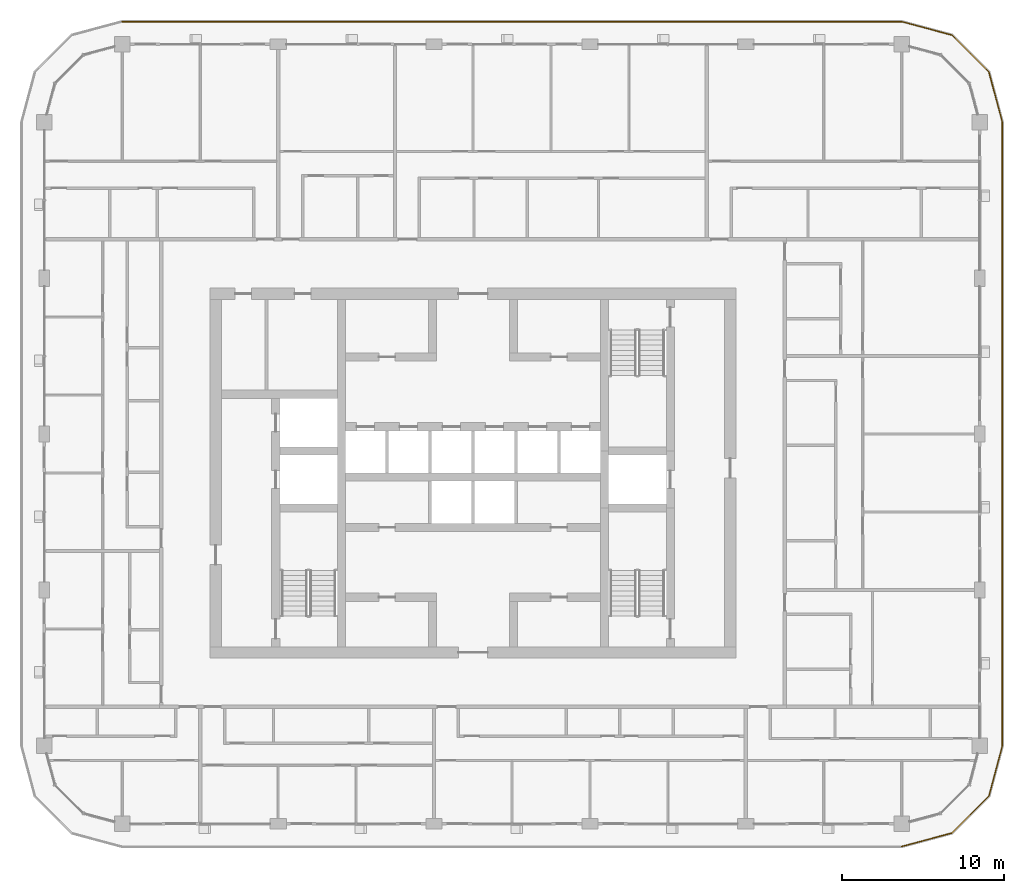
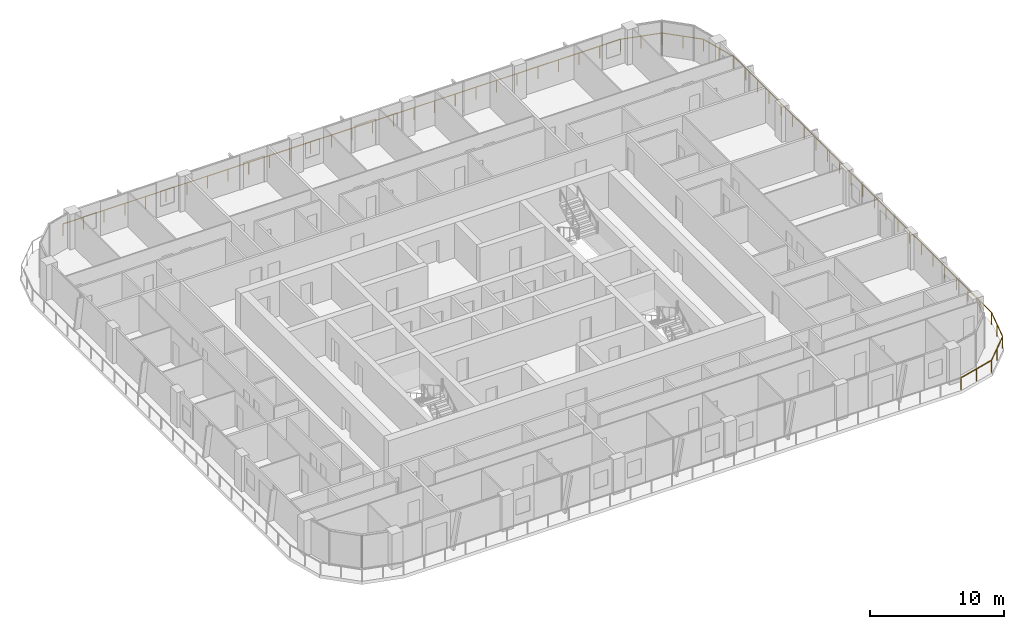
# One storey, part 21 of 23: 1 railing.
"""IFC4 building model written with IfcOpenShell, lengths in metres."""

from ifc_helpers import new_model, si_unit, direction, frame, origin, origin_2d, place, context, subcontext, project, spatial, circle, extrude, material, type_object, element, save


model = new_model("IFC4")

# Units and contexts
model_context = context("Model", 3, precision=1e-05, world=origin(), true_north=direction((0.0, 1.0)))
body_context = subcontext(model_context, "Body", "Model", "MODEL_VIEW")
ifc_project = project(units=[si_unit("LENGTHUNIT", "METRE"), si_unit("AREAUNIT", "SQUARE_METRE"), si_unit("VOLUMEUNIT", "CUBIC_METRE"), si_unit("PLANEANGLEUNIT", "RADIAN"), si_unit("MASSUNIT", "GRAM", prefix="KILO")], contexts=[model_context])

# Site, building, storey
site_placement = place(None, origin())
site = spatial("IfcSite", under=ifc_project, at=site_placement, CompositionType="ELEMENT")
building_placement = place(site_placement, origin())
building = spatial("IfcBuilding", under=site, at=building_placement, Name="Madar Terraces", CompositionType="ELEMENT")
storey_placement = place(building_placement, frame((0.0, 0.0, 219.300048828125)))
storey = spatial("IfcBuildingStorey", under=building, at=storey_placement, Name="L57", CompositionType="ELEMENT", Elevation=219.300048828125)

# Railing
ifc_material = material(Name="Glass, safety glazing, with stainless steel posts", Category="steel")
railing_type = type_object("IfcRailingType", Name="Balcony glass guard 1100", PredefinedType="GUARDRAIL", material=ifc_material)
railing_placement = place(storey_placement, frame((57.60009765625, 3.39990234375, 0.0)))
element("IfcRailing", 1, at=railing_placement, inside=storey, type_object=railing_type, Name="Balcony guard", PredefinedType="GUARDRAIL", context=body_context, shape_type="SweptSolid", body=[
    extrude(circle(Radius=0.02392578125, at=origin_2d()), frame((0.0, 0.0, 1.076171875), z_axis=(0.965909675762, 0.25887931217, 0.0), x_axis=(-0.25887931217, 0.965909675762, 0.0)), (0.0, 0.0, 1.0), 3.209228515625),
    extrude(circle(Radius=0.02392578125, at=origin_2d()), frame((3.099853515625, 0.830810546875, 1.076171875), z_axis=(0.707144815061, 0.707068745266, 0.0), x_axis=(-0.707068745266, 0.707144815061, 0.0)), (0.0, 0.0, 1.0), 3.20947265625),
    extrude(circle(Radius=0.02392578125, at=origin_2d()), frame((5.369384765625, 3.10009765625, 1.076171875), z_axis=(0.258789317819, 0.9659337912, 0.0), x_axis=(-0.9659337912, 0.258789317819, 0.0)), (0.0, 0.0, 1.0), 3.20947265625),
    extrude(circle(Radius=0.02392578125, at=origin_2d()), frame((6.199951171875, 6.2001953125, 1.076171875), z_axis=(0.0, 1.0, 0.0), x_axis=(-1.0, 0.0, 0.0)), (0.0, 0.0, 1.0), 38.39990234375),
    extrude(circle(Radius=0.02392578125, at=origin_2d()), frame((6.199951171875, 44.60009765625, 1.076171875), z_axis=(-0.258789317819, 0.9659337912, 0.0), x_axis=(-0.9659337912, -0.258789317819, 0.0)), (0.0, 0.0, 1.0), 3.20947265625),
    extrude(circle(Radius=0.02392578125, at=origin_2d()), frame((5.369384765625, 47.7001953125, 1.076171875), z_axis=(-0.707144815061, 0.707068745266, 0.0), x_axis=(-0.707068745266, -0.707144815061, 0.0)), (0.0, 0.0, 1.0), 3.20947265625),
    extrude(circle(Radius=0.02392578125, at=origin_2d()), frame((3.099853515625, 49.969482421875, 1.076171875), z_axis=(-0.965928696102, 0.258808334578, 0.0), x_axis=(-0.258808334578, -0.965928696102, 0.0)), (0.0, 0.0, 1.0), 3.209228515625),
    extrude(circle(Radius=0.02392578125, at=origin_2d()), frame((0.0, 50.800048828125, 1.076171875), z_axis=(-1.0, 0.0, 0.0), x_axis=(0.0, -1.0, 0.0)), (0.0, 0.0, 1.0), 48.0),
    extrude(circle(Radius=0.02099609375, at=origin_2d()), origin(), (0.0, 0.0, 1.0), 1.052001953125),
    extrude(circle(Radius=0.02099609375, at=origin_2d()), frame((1.5498046875, 0.41552734375, 0.0)), (0.0, 0.0, 1.0), 1.052001953125),
    extrude(circle(Radius=0.02099609375, at=origin_2d()), frame((3.099853515625, 0.830810546875, 0.0)), (0.0, 0.0, 1.0), 1.052001953125),
    extrude(circle(Radius=0.02099609375, at=origin_2d()), frame((4.234619140625, 1.96533203125, 0.0)), (0.0, 0.0, 1.0), 1.052001953125),
    extrude(circle(Radius=0.02099609375, at=origin_2d()), frame((5.369384765625, 3.10009765625, 0.0)), (0.0, 0.0, 1.0), 1.052001953125),
    extrude(circle(Radius=0.02099609375, at=origin_2d()), frame((5.78466796875, 4.650146484375, 0.0)), (0.0, 0.0, 1.0), 1.052001953125),
    extrude(circle(Radius=0.02099609375, at=origin_2d()), frame((6.199951171875, 6.2001953125, 0.0)), (0.0, 0.0, 1.0), 1.052001953125),
    extrude(circle(Radius=0.02099609375, at=origin_2d()), frame((6.199951171875, 7.945556640625, 0.0)), (0.0, 0.0, 1.0), 1.052001953125),
    extrude(circle(Radius=0.02099609375, at=origin_2d()), frame((6.199951171875, 9.691162109375, 0.0)), (0.0, 0.0, 1.0), 1.052001953125),
    extrude(circle(Radius=0.02099609375, at=origin_2d()), frame((6.199951171875, 11.4365234375, 0.0)), (0.0, 0.0, 1.0), 1.052001953125),
    extrude(circle(Radius=0.02099609375, at=origin_2d()), frame((6.199951171875, 13.181884765625, 0.0)), (0.0, 0.0, 1.0), 1.052001953125),
    extrude(circle(Radius=0.02099609375, at=origin_2d()), frame((6.199951171875, 14.927490234375, 0.0)), (0.0, 0.0, 1.0), 1.052001953125),
    extrude(circle(Radius=0.02099609375, at=origin_2d()), frame((6.199951171875, 16.6728515625, 0.0)), (0.0, 0.0, 1.0), 1.052001953125),
    extrude(circle(Radius=0.02099609375, at=origin_2d()), frame((6.199951171875, 18.41845703125, 0.0)), (0.0, 0.0, 1.0), 1.052001953125),
    extrude(circle(Radius=0.02099609375, at=origin_2d()), frame((6.199951171875, 20.163818359375, 0.0)), (0.0, 0.0, 1.0), 1.052001953125),
    extrude(circle(Radius=0.02099609375, at=origin_2d()), frame((6.199951171875, 21.9091796875, 0.0)), (0.0, 0.0, 1.0), 1.052001953125),
    extrude(circle(Radius=0.02099609375, at=origin_2d()), frame((6.199951171875, 23.65478515625, 0.0)), (0.0, 0.0, 1.0), 1.052001953125),
    extrude(circle(Radius=0.02099609375, at=origin_2d()), frame((6.199951171875, 25.400146484375, 0.0)), (0.0, 0.0, 1.0), 1.052001953125),
    extrude(circle(Radius=0.02099609375, at=origin_2d()), frame((6.199951171875, 27.1455078125, 0.0)), (0.0, 0.0, 1.0), 1.052001953125),
    extrude(circle(Radius=0.02099609375, at=origin_2d()), frame((6.199951171875, 28.89111328125, 0.0)), (0.0, 0.0, 1.0), 1.052001953125),
    extrude(circle(Radius=0.02099609375, at=origin_2d()), frame((6.199951171875, 30.636474609375, 0.0)), (0.0, 0.0, 1.0), 1.052001953125),
    extrude(circle(Radius=0.02099609375, at=origin_2d()), frame((6.199951171875, 32.3818359375, 0.0)), (0.0, 0.0, 1.0), 1.052001953125),
    extrude(circle(Radius=0.02099609375, at=origin_2d()), frame((6.199951171875, 34.12744140625, 0.0)), (0.0, 0.0, 1.0), 1.052001953125),
    extrude(circle(Radius=0.02099609375, at=origin_2d()), frame((6.199951171875, 35.872802734375, 0.0)), (0.0, 0.0, 1.0), 1.052001953125),
    extrude(circle(Radius=0.02099609375, at=origin_2d()), frame((6.199951171875, 37.618408203125, 0.0)), (0.0, 0.0, 1.0), 1.052001953125),
    extrude(circle(Radius=0.02099609375, at=origin_2d()), frame((6.199951171875, 39.36376953125, 0.0)), (0.0, 0.0, 1.0), 1.052001953125),
    extrude(circle(Radius=0.02099609375, at=origin_2d()), frame((6.199951171875, 41.109130859375, 0.0)), (0.0, 0.0, 1.0), 1.052001953125),
    extrude(circle(Radius=0.02099609375, at=origin_2d()), frame((6.199951171875, 42.854736328125, 0.0)), (0.0, 0.0, 1.0), 1.052001953125),
    extrude(circle(Radius=0.02099609375, at=origin_2d()), frame((6.199951171875, 44.60009765625, 0.0)), (0.0, 0.0, 1.0), 1.052001953125),
    extrude(circle(Radius=0.02099609375, at=origin_2d()), frame((5.78466796875, 46.150146484375, 0.0)), (0.0, 0.0, 1.0), 1.052001953125),
    extrude(circle(Radius=0.02099609375, at=origin_2d()), frame((5.369384765625, 47.7001953125, 0.0)), (0.0, 0.0, 1.0), 1.052001953125),
    extrude(circle(Radius=0.02099609375, at=origin_2d()), frame((4.234619140625, 48.8349609375, 0.0)), (0.0, 0.0, 1.0), 1.052001953125),
    extrude(circle(Radius=0.02099609375, at=origin_2d()), frame((3.099853515625, 49.969482421875, 0.0)), (0.0, 0.0, 1.0), 1.052001953125),
    extrude(circle(Radius=0.02099609375, at=origin_2d()), frame((1.5498046875, 50.384765625, 0.0)), (0.0, 0.0, 1.0), 1.052001953125),
    extrude(circle(Radius=0.02099609375, at=origin_2d()), frame((0.0, 50.800048828125, 0.0)), (0.0, 0.0, 1.0), 1.052001953125),
    extrude(circle(Radius=0.02099609375, at=origin_2d()), frame((-1.77783203125, 50.800048828125, 0.0)), (0.0, 0.0, 1.0), 1.052001953125),
    extrude(circle(Radius=0.02099609375, at=origin_2d()), frame((-3.5556640625, 50.800048828125, 0.0)), (0.0, 0.0, 1.0), 1.052001953125),
    extrude(circle(Radius=0.02099609375, at=origin_2d()), frame((-5.333251953125, 50.800048828125, 0.0)), (0.0, 0.0, 1.0), 1.052001953125),
    extrude(circle(Radius=0.02099609375, at=origin_2d()), frame((-7.111083984375, 50.800048828125, 0.0)), (0.0, 0.0, 1.0), 1.052001953125),
    extrude(circle(Radius=0.02099609375, at=origin_2d()), frame((-8.888916015625, 50.800048828125, 0.0)), (0.0, 0.0, 1.0), 1.052001953125),
    extrude(circle(Radius=0.02099609375, at=origin_2d()), frame((-10.666748046875, 50.800048828125, 0.0)), (0.0, 0.0, 1.0), 1.052001953125),
    extrude(circle(Radius=0.02099609375, at=origin_2d()), frame((-12.4443359375, 50.800048828125, 0.0)), (0.0, 0.0, 1.0), 1.052001953125),
    extrude(circle(Radius=0.02099609375, at=origin_2d()), frame((-14.22216796875, 50.800048828125, 0.0)), (0.0, 0.0, 1.0), 1.052001953125),
    extrude(circle(Radius=0.02099609375, at=origin_2d()), frame((-16.0, 50.800048828125, 0.0)), (0.0, 0.0, 1.0), 1.052001953125),
    extrude(circle(Radius=0.02099609375, at=origin_2d()), frame((-17.77783203125, 50.800048828125, 0.0)), (0.0, 0.0, 1.0), 1.052001953125),
    extrude(circle(Radius=0.02099609375, at=origin_2d()), frame((-19.5556640625, 50.800048828125, 0.0)), (0.0, 0.0, 1.0), 1.052001953125),
    extrude(circle(Radius=0.02099609375, at=origin_2d()), frame((-21.333251953125, 50.800048828125, 0.0)), (0.0, 0.0, 1.0), 1.052001953125),
    extrude(circle(Radius=0.02099609375, at=origin_2d()), frame((-23.111083984375, 50.800048828125, 0.0)), (0.0, 0.0, 1.0), 1.052001953125),
    extrude(circle(Radius=0.02099609375, at=origin_2d()), frame((-24.888916015625, 50.800048828125, 0.0)), (0.0, 0.0, 1.0), 1.052001953125),
    extrude(circle(Radius=0.02099609375, at=origin_2d()), frame((-26.666748046875, 50.800048828125, 0.0)), (0.0, 0.0, 1.0), 1.052001953125),
    extrude(circle(Radius=0.02099609375, at=origin_2d()), frame((-28.4443359375, 50.800048828125, 0.0)), (0.0, 0.0, 1.0), 1.052001953125),
    extrude(circle(Radius=0.02099609375, at=origin_2d()), frame((-30.22216796875, 50.800048828125, 0.0)), (0.0, 0.0, 1.0), 1.052001953125),
    extrude(circle(Radius=0.02099609375, at=origin_2d()), frame((-32.0, 50.800048828125, 0.0)), (0.0, 0.0, 1.0), 1.052001953125),
    extrude(circle(Radius=0.02099609375, at=origin_2d()), frame((-33.77783203125, 50.800048828125, 0.0)), (0.0, 0.0, 1.0), 1.052001953125),
    extrude(circle(Radius=0.02099609375, at=origin_2d()), frame((-35.5556640625, 50.800048828125, 0.0)), (0.0, 0.0, 1.0), 1.052001953125),
    extrude(circle(Radius=0.02099609375, at=origin_2d()), frame((-37.333251953125, 50.800048828125, 0.0)), (0.0, 0.0, 1.0), 1.052001953125),
    extrude(circle(Radius=0.02099609375, at=origin_2d()), frame((-39.111083984375, 50.800048828125, 0.0)), (0.0, 0.0, 1.0), 1.052001953125),
    extrude(circle(Radius=0.02099609375, at=origin_2d()), frame((-40.888916015625, 50.800048828125, 0.0)), (0.0, 0.0, 1.0), 1.052001953125),
    extrude(circle(Radius=0.02099609375, at=origin_2d()), frame((-42.666748046875, 50.800048828125, 0.0)), (0.0, 0.0, 1.0), 1.052001953125),
    extrude(circle(Radius=0.02099609375, at=origin_2d()), frame((-44.4443359375, 50.800048828125, 0.0)), (0.0, 0.0, 1.0), 1.052001953125),
    extrude(circle(Radius=0.02099609375, at=origin_2d()), frame((-46.22216796875, 50.800048828125, 0.0)), (0.0, 0.0, 1.0), 1.052001953125),
    extrude(circle(Radius=0.02099609375, at=origin_2d()), frame((-48.0, 50.800048828125, 0.0)), (0.0, 0.0, 1.0), 1.052001953125),
])

save(model, "model.ifc")
